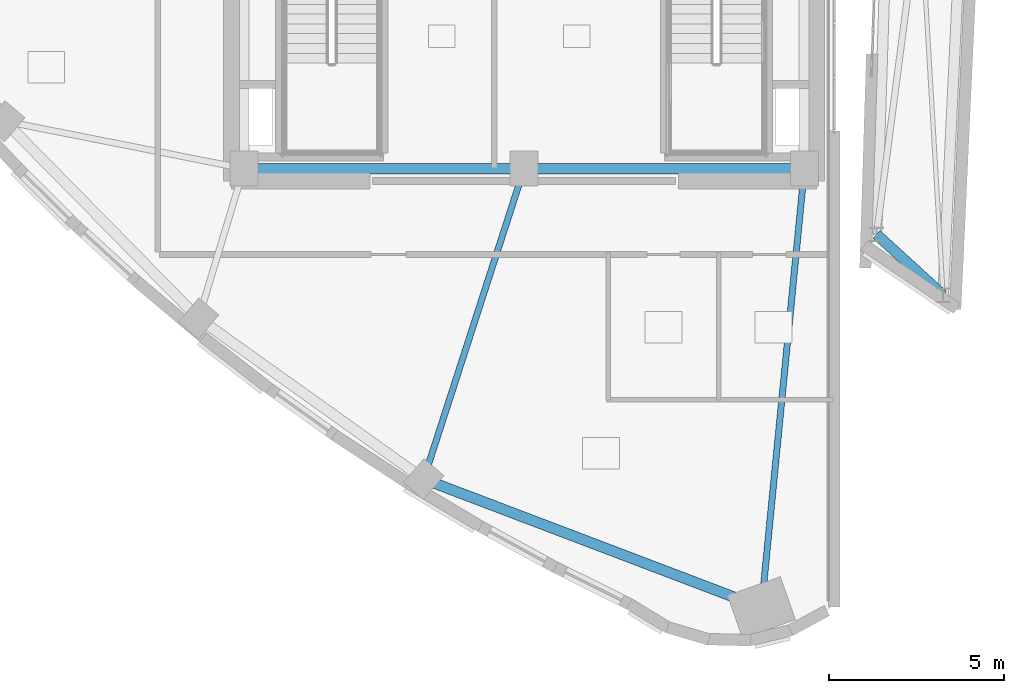
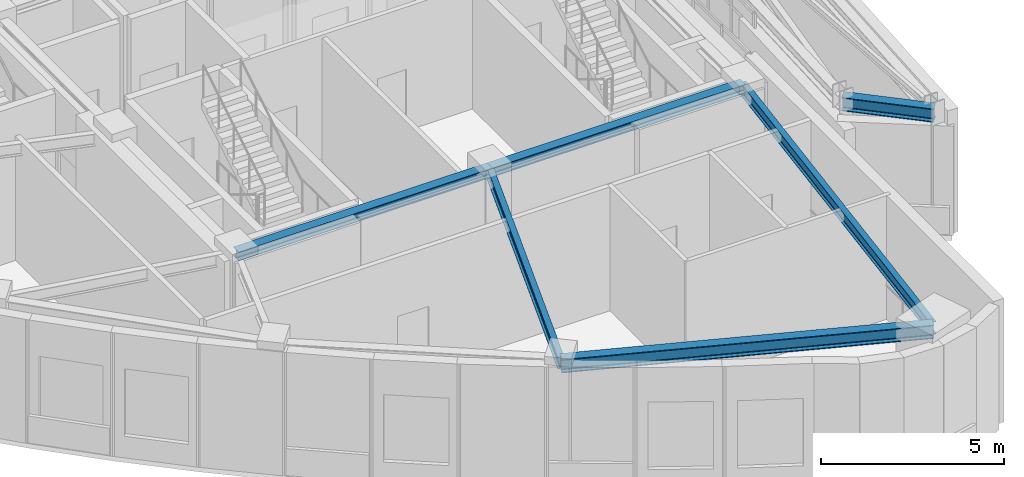
# One storey, part 3 of 19: 6 beams.
"""IFC4 building model written with IfcOpenShell, lengths in metres."""

from ifc_helpers import new_model, si_unit, direction, frame, origin, origin_2d, place, context, subcontext, project, spatial, i_section, extrude, material, material_profile, profile_set, type_object, element, save


model = new_model("IFC4")

# Units and contexts
model_context = context("Model", 3, precision=1e-05, world=origin(), true_north=direction((0.0, 1.0)))
body_context = subcontext(model_context, "Body", "Model", "MODEL_VIEW")
ifc_project = project(units=[si_unit("LENGTHUNIT", "METRE"), si_unit("AREAUNIT", "SQUARE_METRE"), si_unit("VOLUMEUNIT", "CUBIC_METRE"), si_unit("PLANEANGLEUNIT", "RADIAN"), si_unit("MASSUNIT", "GRAM", prefix="KILO")], contexts=[model_context])

# Site, building, storey
site_placement = place(None, origin())
site = spatial("IfcSite", under=ifc_project, at=site_placement, CompositionType="ELEMENT")
building_placement = place(site_placement, origin())
building = spatial("IfcBuilding", under=site, at=building_placement, Name="Ndelora Gate Hotel", CompositionType="ELEMENT")
storey_placement = place(building_placement, frame((0.0, 0.0, 294.800048828125)))
storey = spatial("IfcBuildingStorey", under=building, at=storey_placement, Name="L73", CompositionType="ELEMENT", Elevation=294.800048828125)

# Beams
ifc_material = material(Name="Steel S355", Category="steel")
ifc_material_profile_1 = material_profile(ifc_material, i_section(OverallWidth=0.300048828125, OverallDepth=0.300048828125, WebThickness=0.010986328125, FlangeThickness=0.01904296875, FilletRadius=0.027099609375, at=origin_2d()), Name="HEB 300")
ifc_profile_set_1 = profile_set([ifc_material_profile_1], Name="Steel S355")
beam_type_1 = type_object("IfcBeamType", Name="BM-CORE-300", PredefinedType="BEAM", material=ifc_profile_set_1)
for number, where, z_axis, x_axis, name in (
    (1, (-8.0, -6.60009765625, 3.97998046875), (1.0, 0.0, 0.0), (0.0, 1.0, 0.0), "L73 Core Tie Girder CC1-CC2"),
    (2, (0.0, -6.60009765625, 3.97998046875), (1.0, 0.0, 0.0), (0.0, 1.0, 0.0), "L73 Core Tie Girder CC2-CC3"),
):
    element("IfcBeam", number, at=place(storey_placement, frame(where, z_axis=z_axis, x_axis=x_axis)), inside=storey, type_object=beam_type_1, Name=name, PredefinedType="BEAM", context=body_context, shape_type="SweptSolid", body=[
        extrude(i_section(OverallWidth=0.300048828125, OverallDepth=0.300048828125, WebThickness=0.010986328125, FlangeThickness=0.01904296875, FilletRadius=0.027099609375, at=origin_2d()), origin(), (0.0, 0.0, 1.0), 8.0),
    ])
ifc_material_profile_2 = material_profile(ifc_material, i_section(OverallWidth=0.179931640625, OverallDepth=0.39990234375, WebThickness=0.008544921875, FlangeThickness=0.013427734375, FilletRadius=0.02099609375, at=origin_2d()), Name="IPE 400")
ifc_profile_set_2 = profile_set([ifc_material_profile_2], Name="Steel S355")
beam_type_2 = type_object("IfcBeamType", Name="BM-RAD-400", PredefinedType="BEAM", material=ifc_profile_set_2)
beam_1_placement = place(storey_placement, frame((0.0, -6.60009765625, 3.929931640625), z_axis=(-0.307689759964, -0.951486737487, 0.0), x_axis=(0.951486737487, -0.307689759964, 0.0)))
element("IfcBeam", 3, at=beam_1_placement, inside=storey, type_object=beam_type_2, Name="L73 structural beam FB-5", PredefinedType="BEAM", context=body_context, shape_type="SweptSolid", body=[
    extrude(i_section(OverallWidth=0.179931640625, OverallDepth=0.39990234375, WebThickness=0.008544921875, FlangeThickness=0.013427734375, FilletRadius=0.02099609375, at=origin_2d()), origin(), (0.0, 0.0, 1.0), 9.31298828125),
])
beam_2_placement = place(storey_placement, frame((8.0, -6.60009765625, 3.929931640625), z_axis=(-0.097513783863, -0.995234174432, 0.0), x_axis=(0.995234174432, -0.097513783863, 0.0)))
element("IfcBeam", 4, at=beam_2_placement, inside=storey, type_object=beam_type_2, Name="L73 structural beam FB-5", PredefinedType="BEAM", context=body_context, shape_type="SweptSolid", body=[
    extrude(i_section(OverallWidth=0.179931640625, OverallDepth=0.39990234375, WebThickness=0.008544921875, FlangeThickness=0.013427734375, FilletRadius=0.02099609375, at=origin_2d()), origin(), (0.0, 0.0, 1.0), 12.5859375),
])
ifc_material_profile_3 = material_profile(ifc_material, i_section(OverallWidth=0.300048828125, OverallDepth=0.449951171875, WebThickness=0.013916015625, FlangeThickness=0.02587890625, FilletRadius=0.027099609375, at=origin_2d()), Name="HEB 450")
ifc_profile_set_3 = profile_set([ifc_material_profile_3], Name="Steel S355")
beam_type_3 = type_object("IfcBeamType", Name="BM-RING-450", PredefinedType="SPANDREL", material=ifc_profile_set_3)
beam_3_placement = place(storey_placement, frame((-2.865478515625, -15.461181640625, 3.905029296875), z_axis=(0.934709973152, -0.355411403997, 0.0), x_axis=(0.355411403997, 0.934709973152, 0.0)))
element("IfcBeam", 5, at=beam_3_placement, inside=storey, type_object=beam_type_3, Name="L73 structural beam RB-5", PredefinedType="SPANDREL", context=body_context, shape_type="SweptSolid", body=[
    extrude(i_section(OverallWidth=0.300048828125, OverallDepth=0.449951171875, WebThickness=0.013916015625, FlangeThickness=0.02587890625, FilletRadius=0.027099609375, at=origin_2d()), origin(), (0.0, 0.0, 1.0), 10.3115234375),
])
beam_4_placement = place(storey_placement, frame((10.0576171875, -8.478271484375, 3.89501953125), z_axis=(0.738512212633, -0.674240099514, 0.0), x_axis=(0.674240099514, 0.738512212633, 0.0)))
element("IfcBeam", 6, at=beam_4_placement, inside=storey, type_object=beam_type_3, Name="L73 structural beam RB-5", PredefinedType="SPANDREL", context=body_context, shape_type="SweptSolid", body=[
    extrude(i_section(OverallWidth=0.300048828125, OverallDepth=0.449951171875, WebThickness=0.013916015625, FlangeThickness=0.02587890625, FilletRadius=0.027099609375, at=origin_2d()), origin(), (0.0, 0.0, 1.0), 2.571533203125),
])

save(model, "model.ifc")
